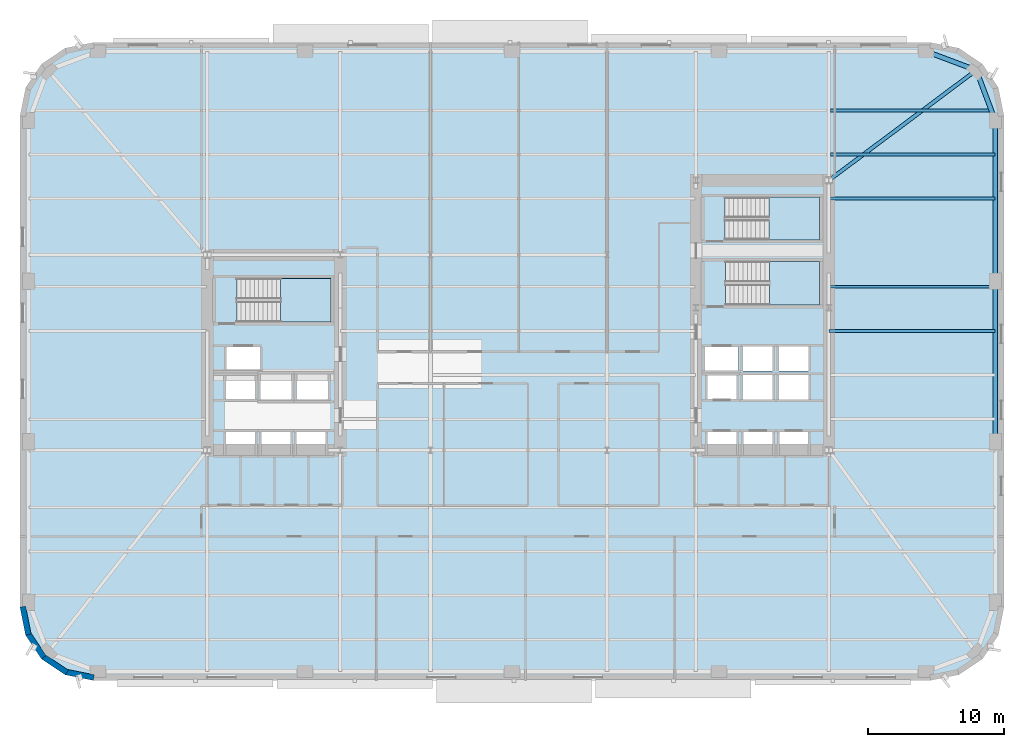
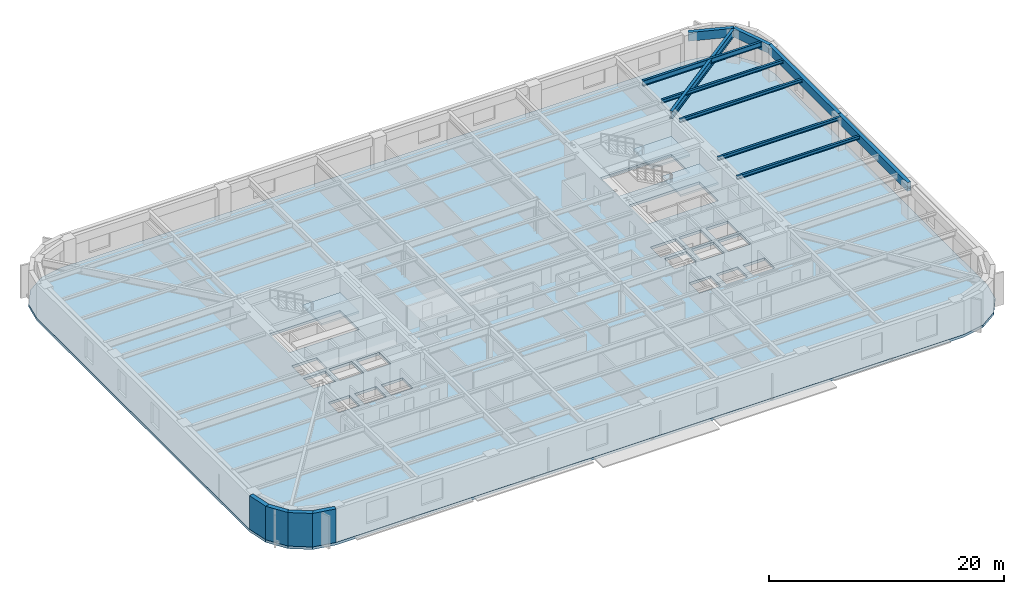
# One storey, part 3 of 15: 10 beams, 4 slabs, 4 walls, 3 elements without a shape of their own.
"""IFC4 building model written with IfcOpenShell, lengths in metres."""

from ifc_helpers import new_model, si_unit, direction, frame, frame_2d, origin, origin_2d, place, context, subcontext, project, spatial, polyline, rectangle, hollow_rectangle, i_section, outline, extrude, material, layer, layer_set, material_profile, profile_set, type_object, element, aggregate, save


model = new_model("IFC4")

# Units and contexts
model_context = context("Model", 3, precision=1e-05, world=origin(), true_north=direction((0.0, 1.0)))
body_context = subcontext(model_context, "Body", "Model", "MODEL_VIEW")
ifc_project = project(units=[si_unit("LENGTHUNIT", "METRE"), si_unit("AREAUNIT", "SQUARE_METRE"), si_unit("VOLUMEUNIT", "CUBIC_METRE"), si_unit("PLANEANGLEUNIT", "RADIAN"), si_unit("MASSUNIT", "GRAM", prefix="KILO")], contexts=[model_context])

# Site, building, storey
site_placement = place(None, origin())
site = spatial("IfcSite", under=ifc_project, at=site_placement, CompositionType="ELEMENT")
building_placement = place(site_placement, origin())
building = spatial("IfcBuilding", under=site, at=building_placement, Name="Kolvaren Arena Tower", CompositionType="ELEMENT")
storey_placement = place(building_placement, frame((0.0, 0.0, 83.25)))
storey = spatial("IfcBuildingStorey", under=building, at=storey_placement, Name="L18", CompositionType="ELEMENT", Elevation=83.25)

# Beams
ifc_material_1 = material(Name="Steel CSA G40.21 350W", Category="steel")
ifc_material_profile_1 = material_profile(ifc_material_1, i_section(OverallWidth=0.2119140625, OverallDepth=0.54296875, WebThickness=0.01318359375, FlangeThickness=0.0244140625, FilletRadius=0.013916015625, at=origin_2d()), Name="W530x150")
ifc_profile_set_1 = profile_set([ifc_material_profile_1], Name="Steel CSA G40.21 350W")
beam_type_1 = type_object("IfcBeamType", Name="BEAM-F1", PredefinedType="BEAM", material=ifc_profile_set_1)
beam_1_placement = place(storey_placement, frame((60.485107421875, 44.5, 3.20849609375), z_axis=(1.0, 0.0, 0.0), x_axis=(0.0, 1.0, 0.0)))
element("IfcBeam", 1, at=beam_1_placement, inside=storey, type_object=beam_type_1, Name="Composite Floor Beam (L18)", PredefinedType="BEAM", context=body_context, shape_type="SweptSolid", body=[
    extrude(i_section(OverallWidth=0.2119140625, OverallDepth=0.54296875, WebThickness=0.01318359375, FlangeThickness=0.0244140625, FilletRadius=0.013916015625, at=origin_2d()), origin(), (0.0, 0.0, 1.0), 11.83349609375),
])
ifc_material_profile_2 = material_profile(ifc_material_1, i_section(OverallWidth=0.27001953125, OverallDepth=0.77294921875, WebThickness=0.019287109375, FlangeThickness=0.033447265625, FilletRadius=0.01806640625, at=origin_2d()), Name="W760x257")
ifc_profile_set_2 = profile_set([ifc_material_profile_2], Name="Steel CSA G40.21 350W")
beam_type_2 = type_object("IfcBeamType", Name="GIRD-T1", PredefinedType="BEAM", material=ifc_profile_set_2)
beam_2_placement = place(storey_placement, frame((71.208740234375, 47.458740234375, 3.093505859375), z_axis=(-0.801249936397, -0.598329791523, 0.0), x_axis=(0.598329791523, -0.801249936397, 0.0)))
element("IfcBeam", 2, at=beam_2_placement, inside=storey, type_object=beam_type_2, Name="Corner Diagonal Tie Girder (L18)", PredefinedType="BEAM", context=body_context, shape_type="SweptSolid", body=[
    extrude(i_section(OverallWidth=0.27001953125, OverallDepth=0.77294921875, WebThickness=0.019287109375, FlangeThickness=0.033447265625, FilletRadius=0.01806640625, at=origin_2d()), origin(), (0.0, 0.0, 1.0), 13.55224609375),
])
ifc_material_profile_3 = material_profile(ifc_material_1, i_section(OverallWidth=0.202880859375, OverallDepth=0.346923828125, WebThickness=0.0078125, FlangeThickness=0.013427734375, FilletRadius=0.010986328125, at=origin_2d()), Name="W360x64")
ifc_profile_set_3 = profile_set([ifc_material_profile_3], Name="Steel CSA G40.21 350W")
beam_type_3 = type_object("IfcBeamType", Name="JOIST-01", PredefinedType="JOIST", material=ifc_profile_set_3)
for number, where, z_axis, x_axis, name in (
    (3, (60.3701171875, 28.25, 3.306396484375), (1.0, 0.0, 0.0), (0.0, 1.0, 0.0), "Composite Floor Joist (L18)"),
    (4, (60.3701171875, 31.5, 3.306396484375), (1.0, 0.0, 0.0), (0.0, 1.0, 0.0), "Composite Floor Joist (L18)"),
    (5, (60.3701171875, 38.0, 3.306396484375), (1.0, 0.0, 0.0), (0.0, 1.0, 0.0), "Composite Floor Joist (L18)"),
):
    element("IfcBeam", number, at=place(storey_placement, frame(where, z_axis=z_axis, x_axis=x_axis)), inside=storey, type_object=beam_type_3, Name=name, PredefinedType="JOIST", context=body_context, shape_type="SweptSolid", body=[
        extrude(i_section(OverallWidth=0.202880859375, OverallDepth=0.346923828125, WebThickness=0.0078125, FlangeThickness=0.013427734375, FilletRadius=0.010986328125, at=origin_2d()), origin(), (0.0, 0.0, 1.0), 12.22998046875),
    ])
beam_3_placement = place(storey_placement, frame((60.485107421875, 41.25, 3.306396484375), z_axis=(1.0, 0.0, 0.0), x_axis=(0.0, 1.0, 0.0)))
element("IfcBeam", 6, at=beam_3_placement, inside=storey, type_object=beam_type_3, Name="Composite Floor Joist (L18)", PredefinedType="JOIST", context=body_context, shape_type="SweptSolid", body=[
    extrude(i_section(OverallWidth=0.202880859375, OverallDepth=0.346923828125, WebThickness=0.0078125, FlangeThickness=0.013427734375, FilletRadius=0.010986328125, at=origin_2d()), origin(), (0.0, 0.0, 1.0), 12.114990234375),
])
ifc_material_2 = material(Name="Steel CSA G40.21 350WT", Category="steel")
ifc_material_profile_4 = material_profile(ifc_material_2, hollow_rectangle(XDim=0.35009765625, YDim=0.89990234375, WallThickness=0.02001953125, at=origin_2d()), Name="HSS 900x350x20")
ifc_profile_set_4 = profile_set([ifc_material_profile_4], Name="Steel CSA G40.21 350WT")
beam_type_4 = type_object("IfcBeamType", Name="SPAND-01", PredefinedType="SPANDREL", material=ifc_profile_set_4)
beam_4_placement = place(storey_placement, frame((72.60009765625, 20.083251953125, 3.030029296875), z_axis=(0.0, 1.0, 0.0), x_axis=(-1.0, 0.0, 0.0)))
element("IfcBeam", 7, at=beam_4_placement, inside=storey, type_object=beam_type_4, Name="Perimeter Spandrel Beam (L18)", PredefinedType="SPANDREL", context=body_context, shape_type="SweptSolid", body=[
    extrude(hollow_rectangle(XDim=0.35009765625, YDim=0.89990234375, WallThickness=0.02001953125, at=origin_2d()), origin(), (0.0, 0.0, 1.0), 11.83349609375),
])
beam_5_placement = place(storey_placement, frame((72.60009765625, 31.916748046875, 3.030029296875), z_axis=(0.0, 1.0, 0.0), x_axis=(-1.0, 0.0, 0.0)))
element("IfcBeam", 8, at=beam_5_placement, inside=storey, type_object=beam_type_4, Name="Perimeter Spandrel Beam (L18)", PredefinedType="SPANDREL", context=body_context, shape_type="SweptSolid", body=[
    extrude(hollow_rectangle(XDim=0.35009765625, YDim=0.89990234375, WallThickness=0.02001953125, at=origin_2d()), origin(), (0.0, 0.0, 1.0), 11.833251953125),
])
for number, where, z_axis, x_axis, name in (
    (9, (72.60009765625, 43.75, 3.030029296875), (-0.351251771955, 0.93628104365, 0.0), (-0.93628104365, -0.351251771955, 0.0), "Perimeter Spandrel Beam (L18)"),
    (10, (71.208740234375, 47.458740234375, 3.030029296875), (-0.93628104365, 0.351251771955, 0.0), (-0.351251771955, -0.93628104365, 0.0), "Perimeter Spandrel Beam (L18)"),
):
    element("IfcBeam", number, at=place(storey_placement, frame(where, z_axis=z_axis, x_axis=x_axis)), inside=storey, type_object=beam_type_4, Name=name, PredefinedType="SPANDREL", context=body_context, shape_type="SweptSolid", body=[
        extrude(hollow_rectangle(XDim=0.35009765625, YDim=0.89990234375, WallThickness=0.02001953125, at=origin_2d()), origin(), (0.0, 0.0, 1.0), 3.961181640625),
    ])

# Stair, slab
ifc_material_3 = material(Name="Concrete 45 MPa", Category="concrete")
stair_type_1 = type_object("IfcStairType", Name="STAIR-CORE-165", PredefinedType="HALF_TURN_STAIR", material=ifc_material_3)
stair_1_placement = place(storey_placement, origin())
stair_1 = element("IfcStair", 11, at=stair_1_placement, inside=storey, type_object=stair_type_1, Name="L18 ST-W1", PredefinedType="HALF_TURN_STAIR")
ifc_layer_1 = layer(ifc_material_3, 0.199951171875)
ifc_layer_set_1 = layer_set([ifc_layer_1], Name="Concrete 45 MPa")
slab_type_1 = type_object("IfcSlabType", Name="SLAB-LAND", PredefinedType="LANDING", material=ifc_layer_set_1)
slab_1_placement = place(storey_placement, frame((0.0, 0.0, 1.675048828125)))
slab_1 = element("IfcSlab", 12, at=slab_1_placement, type_object=slab_type_1, Name="ST-W1 landing 1", PredefinedType="LANDING", context=body_context, shape_type="SweptSolid", body=[
    extrude(outline(polyline([(19.9599609375, 28.89990234375), (23.659912109375, 28.89990234375), (23.659912109375, 32.1298828125), (19.9599609375, 32.1298828125), (19.9599609375, 28.89990234375)])), origin(), (0.0, 0.0, 1.0), 0.199951171875),
])
aggregate(stair_1, [slab_1])

stair_2_placement = place(storey_placement, origin())
stair_2 = element("IfcStair", 13, at=stair_2_placement, inside=storey, type_object=stair_type_1, Name="L18 ST-E1", PredefinedType="HALF_TURN_STAIR")
slab_2_placement = place(storey_placement, frame((0.0, 0.0, 1.675048828125)))
slab_2 = element("IfcSlab", 14, at=slab_2_placement, type_object=slab_type_1, Name="ST-E1 landing 1", PredefinedType="LANDING", context=body_context, shape_type="SweptSolid", body=[
    extrude(outline(polyline([(55.9599609375, 30.14990234375), (59.659912109375, 30.14990234375), (59.659912109375, 33.3798828125), (55.9599609375, 33.3798828125), (55.9599609375, 30.14990234375)])), origin(), (0.0, 0.0, 1.0), 0.199951171875),
])
aggregate(stair_2, [slab_2])

stair_type_2 = type_object("IfcStairType", Name="STAIR-CORE-150", PredefinedType="HALF_TURN_STAIR", material=ifc_material_3)
stair_3_placement = place(storey_placement, origin())
stair_3 = element("IfcStair", 15, at=stair_3_placement, inside=storey, type_object=stair_type_2, Name="L18 ST-E2", PredefinedType="HALF_TURN_STAIR")
slab_3_placement = place(storey_placement, frame((0.0, 0.0, 1.675048828125)))
slab_3 = element("IfcSlab", 16, at=slab_3_placement, type_object=slab_type_1, Name="ST-E2 landing 1", PredefinedType="LANDING", context=body_context, shape_type="SweptSolid", body=[
    extrude(outline(polyline([(55.919921875, 34.949951171875), (59.659912109375, 34.949951171875), (59.659912109375, 38.10009765625), (55.919921875, 38.10009765625), (55.919921875, 34.949951171875)])), origin(), (0.0, 0.0, 1.0), 0.199951171875),
])
aggregate(stair_3, [slab_3])

# Slab
ifc_layer_2 = layer(ifc_material_3, 0.27001953125)
ifc_layer_set_2 = layer_set([ifc_layer_2], Name="Concrete 45 MPa")
slab_type_2 = type_object("IfcSlabType", Name="SLAB-OFF2", PredefinedType="FLOOR", material=ifc_layer_set_2)
slab_4_placement = place(storey_placement, frame((0.0, 0.0, -0.27001953125)))
element("IfcSlab", 17, at=slab_4_placement, inside=storey, type_object=slab_type_2, Name="L18 Primary Structural Slab", PredefinedType="FLOOR", context=body_context, shape_type="SweptSolid", body=[
    extrude(outline(polyline([(67.85009765625, 2.5), (69.91650390625, 2.9111328125), (71.66845703125, 4.08154296875), (72.8388671875, 5.83349609375), (73.25, 7.89990234375), (73.25, 44.10009765625), (72.8388671875, 46.16650390625), (71.66845703125, 47.91845703125), (69.91650390625, 49.0888671875), (67.85009765625, 49.5), (6.14990234375, 49.5), (4.08349609375, 49.0888671875), (2.33154296875, 47.91845703125), (1.1611328125, 46.16650390625), (0.75, 44.10009765625), (0.75, 7.89990234375), (1.1611328125, 5.83349609375), (2.33154296875, 4.08154296875), (4.08349609375, 2.9111328125), (6.14990234375, 2.5), (67.85009765625, 2.5)]), holes=[polyline([(15.93505859375, 19.0849609375), (15.93505859375, 20.81494140625), (18.06494140625, 20.81494140625), (18.06494140625, 19.0849609375), (15.93505859375, 19.0849609375)]), polyline([(18.534912109375, 19.0849609375), (18.534912109375, 20.81494140625), (20.6650390625, 20.81494140625), (20.6650390625, 19.0849609375), (18.534912109375, 19.0849609375)]), polyline([(21.135009765625, 19.0849609375), (21.135009765625, 20.81494140625), (23.264892578125, 20.81494140625), (23.264892578125, 19.0849609375), (21.135009765625, 19.0849609375)]), polyline([(51.39501953125, 19.0849609375), (51.39501953125, 20.81494140625), (53.52490234375, 20.81494140625), (53.52490234375, 19.0849609375), (51.39501953125, 19.0849609375)]), polyline([(54.054931640625, 19.0849609375), (54.054931640625, 20.81494140625), (56.18505859375, 20.81494140625), (56.18505859375, 19.0849609375), (54.054931640625, 19.0849609375)]), polyline([(56.695068359375, 19.0849609375), (56.695068359375, 20.81494140625), (58.824951171875, 20.81494140625), (58.824951171875, 19.0849609375), (56.695068359375, 19.0849609375)]), polyline([(18.4599609375, 23.135009765625), (18.4599609375, 25.06494140625), (20.739990234375, 25.06494140625), (20.739990234375, 23.135009765625), (18.4599609375, 23.135009765625)]), polyline([(21.159912109375, 23.135009765625), (21.159912109375, 25.06494140625), (23.43994140625, 25.06494140625), (23.43994140625, 23.135009765625), (21.159912109375, 23.135009765625)]), polyline([(54.030029296875, 25.014892578125), (56.2099609375, 25.014892578125), (56.2099609375, 23.18505859375), (54.030029296875, 23.18505859375), (54.030029296875, 25.014892578125)]), polyline([(56.669921875, 25.014892578125), (58.85009765625, 25.014892578125), (58.85009765625, 23.18505859375), (56.669921875, 23.18505859375), (56.669921875, 25.014892578125)]), polyline([(15.93505859375, 23.235107421875), (15.93505859375, 24.965087890625), (18.06494140625, 24.965087890625), (18.06494140625, 23.235107421875), (15.93505859375, 23.235107421875)]), polyline([(51.39501953125, 24.965087890625), (53.52490234375, 24.965087890625), (53.52490234375, 23.235107421875), (51.39501953125, 23.235107421875), (51.39501953125, 24.965087890625)]), polyline([(54.030029296875, 25.284912109375), (54.030029296875, 27.114990234375), (56.2099609375, 27.114990234375), (56.2099609375, 25.284912109375), (54.030029296875, 25.284912109375)]), polyline([(56.669921875, 25.284912109375), (56.669921875, 27.114990234375), (58.85009765625, 27.114990234375), (58.85009765625, 25.284912109375), (56.669921875, 25.284912109375)]), polyline([(15.9599609375, 27.06494140625), (18.43994140625, 27.06494140625), (18.43994140625, 25.3349609375), (15.9599609375, 25.3349609375), (15.9599609375, 27.06494140625)]), polyline([(51.219970703125, 25.3349609375), (51.219970703125, 27.06494140625), (53.699951171875, 27.06494140625), (53.699951171875, 25.3349609375), (51.219970703125, 25.3349609375)]), polyline([(16.735107421875, 28.89990234375), (16.735107421875, 32.1298828125), (23.659912109375, 32.1298828125), (23.659912109375, 28.89990234375), (16.735107421875, 28.89990234375)]), polyline([(52.735107421875, 33.3798828125), (59.659912109375, 33.3798828125), (59.659912109375, 30.14990234375), (52.735107421875, 30.14990234375), (52.735107421875, 33.3798828125)]), polyline([(52.695068359375, 38.10009765625), (59.659912109375, 38.10009765625), (59.659912109375, 34.949951171875), (52.695068359375, 34.949951171875), (52.695068359375, 38.10009765625)])]), origin(), (0.0, 0.0, 1.0), 0.27001953125),
])

# Walls
ifc_material_4 = material(Name="Precast concrete C50/60", Category="concrete")
ifc_layer_3 = layer(ifc_material_4, 0.419921875)
ifc_layer_set_3 = layer_set([ifc_layer_3], Name="Precast concrete C50/60")
wall_type = type_object("IfcWallType", Name="EXT-PIER1", PredefinedType="SOLIDWALL", material=ifc_layer_set_3)
for number, where, z_axis, x_axis, name in (
    (18, (1.3671875, 5.87451171875, 0.0), (0.0, 0.0, 1.0), (-0.195135546048, 0.9807762837, 0.0), "Exterior Precast Masonry-Frame Wall (L18)"),
    (19, (2.506103515625, 4.1982421875, 0.0), (0.0, 0.0, 1.0), (-0.555502146192, 0.831515102434, 0.0), "Exterior Precast Masonry-Frame Wall (L18)"),
    (20, (4.2001953125, 3.085693359375, 0.0), (0.0, 0.0, 1.0), (-0.831515102434, 0.555502146192, 0.0), "Exterior Precast Masonry-Frame Wall (L18)"),
    (21, (6.19091796875, 2.7060546875, 0.0), (0.0, 0.0, 1.0), (-0.9807762837, 0.195135546048, 0.0), "Exterior Precast Masonry-Frame Wall (L18)"),
):
    element("IfcWall", number, at=place(storey_placement, frame(where, z_axis=z_axis, x_axis=x_axis)), inside=storey, type_object=wall_type, Name=name, PredefinedType="SOLIDWALL", context=body_context, shape_type="SweptSolid", body=[
        extrude(rectangle(XDim=2.10693359375, YDim=0.419921875, at=frame_2d((1.053466796875, 0.0))), origin(), (0.0, 0.0, 1.0), 3.47998046875),
    ])

save(model, "model.ifc")
